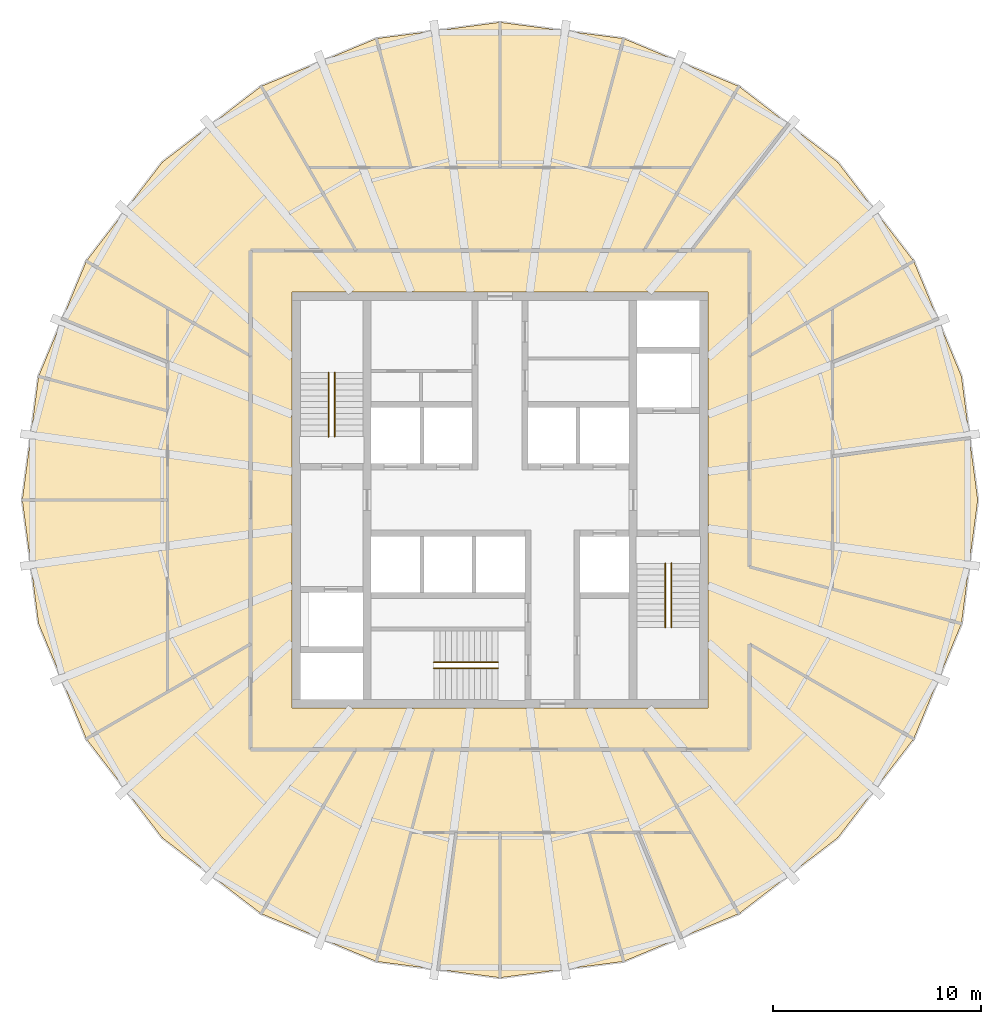
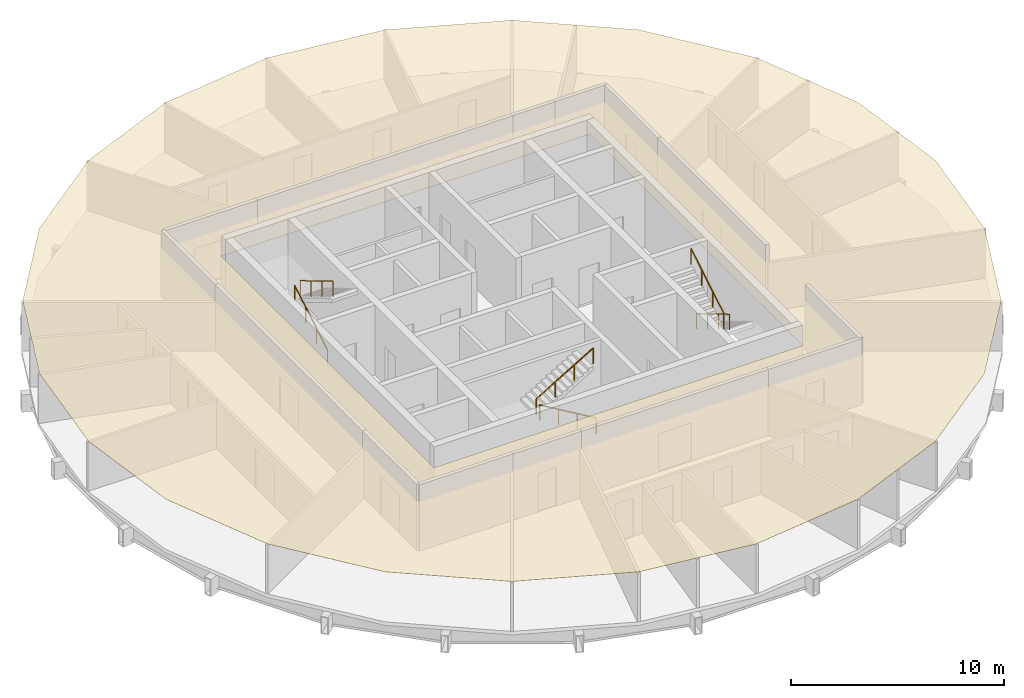
# One storey, part 6 of 6: 6 railings, 1 covering.
"""IFC4 building model written with IfcOpenShell, lengths in metres."""

from ifc_helpers import new_model, si_unit, direction, frame, origin, origin_2d, place, context, subcontext, project, spatial, polyline, circle, outline, extrude, material, layer, layer_set, type_object, element, save


model = new_model("IFC4")

# Units and contexts
model_context = context("Model", 3, precision=1e-05, world=origin(), true_north=direction((0.0, 1.0)))
body_context = subcontext(model_context, "Body", "Model", "MODEL_VIEW")
ifc_project = project(units=[si_unit("LENGTHUNIT", "METRE"), si_unit("AREAUNIT", "SQUARE_METRE"), si_unit("VOLUMEUNIT", "CUBIC_METRE"), si_unit("PLANEANGLEUNIT", "RADIAN"), si_unit("MASSUNIT", "GRAM", prefix="KILO")], contexts=[model_context])

# Site, building, storey
site_placement = place(None, origin())
site = spatial("IfcSite", under=ifc_project, at=site_placement, CompositionType="ELEMENT")
building_placement = place(site_placement, origin())
building = spatial("IfcBuilding", under=site, at=building_placement, Name="Golbaran Civic Tower", CompositionType="ELEMENT")
storey_placement = place(building_placement, frame((0.0, 0.0, 224.0)))
storey = spatial("IfcBuildingStorey", under=building, at=storey_placement, Name="L54", CompositionType="ELEMENT", Elevation=224.0)

# Railings
ifc_material_1 = material(Name="Stainless steel", Category="steel")
railing_type = type_object("IfcRailingType", Name="STAIR HANDRAIL 900", PredefinedType="HANDRAIL", material=ifc_material_1)
railing_1_placement = place(storey_placement, frame((-8.25, 3.050048828125, 0.166748046875)))
element("IfcRailing", 1, at=railing_1_placement, inside=storey, type_object=railing_type, Name="Stair S1 handrail flight 1 L54", PredefinedType="HANDRAIL", context=body_context, shape_type="SweptSolid", body=[
    extrude(circle(Radius=0.02392578125, at=origin_2d()), frame((0.0, 0.0, 0.8759765625), z_axis=(0.0, 0.859290745958, 0.51148745235), x_axis=(-1.0, 0.0, 0.0)), (0.0, 0.0, 1.0), 3.584228515625),
    extrude(circle(Radius=0.02099609375, at=origin_2d()), origin(), (0.0, 0.0, 1.0), 0.851806640625),
    extrude(circle(Radius=0.02099609375, at=origin_2d()), frame((0.0, 1.026611328125, 0.611083984375)), (0.0, 0.0, 1.0), 0.851806640625),
    extrude(circle(Radius=0.02099609375, at=origin_2d()), frame((0.0, 2.05322265625, 1.22216796875)), (0.0, 0.0, 1.0), 0.851806640625),
    extrude(circle(Radius=0.02099609375, at=origin_2d()), frame((0.0, 3.079833984375, 1.833251953125)), (0.0, 0.0, 1.0), 0.851806640625),
])
for number, where, name in (
    (2, (-7.949951171875, 6.1298828125, 2.166748046875), "Stair S1 handrail flight 2 L54"),
    (3, (8.25, -3.050048828125, 0.166748046875), "Stair S2 handrail flight 1 L54"),
):
    element("IfcRailing", number, at=place(storey_placement, frame(where)), inside=storey, type_object=railing_type, Name=name, PredefinedType="HANDRAIL", context=body_context, shape_type="SweptSolid", body=[
        extrude(circle(Radius=0.02392578125, at=origin_2d()), frame((0.0, 0.0, 0.8759765625), z_axis=(0.0, -0.859290745958, 0.51148745235), x_axis=(1.0, 0.0, 0.0)), (0.0, 0.0, 1.0), 3.584228515625),
        extrude(circle(Radius=0.02099609375, at=origin_2d()), origin(), (0.0, 0.0, 1.0), 0.851806640625),
        extrude(circle(Radius=0.02099609375, at=origin_2d()), frame((0.0, -1.026611328125, 0.611083984375)), (0.0, 0.0, 1.0), 0.851806640625),
        extrude(circle(Radius=0.02099609375, at=origin_2d()), frame((0.0, -2.05322265625, 1.22216796875)), (0.0, 0.0, 1.0), 0.851806640625),
        extrude(circle(Radius=0.02099609375, at=origin_2d()), frame((0.0, -3.079833984375, 1.833251953125)), (0.0, 0.0, 1.0), 0.851806640625),
    ])
railing_2_placement = place(storey_placement, frame((7.949951171875, -6.1298828125, 2.166748046875)))
element("IfcRailing", 4, at=railing_2_placement, inside=storey, type_object=railing_type, Name="Stair S2 handrail flight 2 L54", PredefinedType="HANDRAIL", context=body_context, shape_type="SweptSolid", body=[
    extrude(circle(Radius=0.02392578125, at=origin_2d()), frame((0.0, 0.0, 0.8759765625), z_axis=(0.0, 0.859290745958, 0.51148745235), x_axis=(-1.0, 0.0, 0.0)), (0.0, 0.0, 1.0), 3.584228515625),
    extrude(circle(Radius=0.02099609375, at=origin_2d()), origin(), (0.0, 0.0, 1.0), 0.851806640625),
    extrude(circle(Radius=0.02099609375, at=origin_2d()), frame((0.0, 1.026611328125, 0.611083984375)), (0.0, 0.0, 1.0), 0.851806640625),
    extrude(circle(Radius=0.02099609375, at=origin_2d()), frame((0.0, 2.05322265625, 1.22216796875)), (0.0, 0.0, 1.0), 0.851806640625),
    extrude(circle(Radius=0.02099609375, at=origin_2d()), frame((0.0, 3.079833984375, 1.833251953125)), (0.0, 0.0, 1.0), 0.851806640625),
])
railing_3_placement = place(storey_placement, frame((-0.10009765625, -8.10009765625, 0.166748046875)))
element("IfcRailing", 5, at=railing_3_placement, inside=storey, type_object=railing_type, Name="Stair S3 handrail flight 1 L54", PredefinedType="HANDRAIL", context=body_context, shape_type="SweptSolid", body=[
    extrude(circle(Radius=0.02392578125, at=origin_2d()), frame((0.0, 0.0, 0.8759765625), z_axis=(-0.859290745958, 0.0, 0.51148745235), x_axis=(0.0, -1.0, 0.0)), (0.0, 0.0, 1.0), 3.584228515625),
    extrude(circle(Radius=0.02099609375, at=origin_2d()), origin(), (0.0, 0.0, 1.0), 0.851806640625),
    extrude(circle(Radius=0.02099609375, at=origin_2d()), frame((-1.026611328125, 0.0, 0.611083984375)), (0.0, 0.0, 1.0), 0.851806640625),
    extrude(circle(Radius=0.02099609375, at=origin_2d()), frame((-2.05322265625, 0.0, 1.22216796875)), (0.0, 0.0, 1.0), 0.851806640625),
    extrude(circle(Radius=0.02099609375, at=origin_2d()), frame((-3.079833984375, 0.0, 1.833251953125)), (0.0, 0.0, 1.0), 0.851806640625),
])
railing_4_placement = place(storey_placement, frame((-3.179931640625, -7.800048828125, 2.166748046875)))
element("IfcRailing", 6, at=railing_4_placement, inside=storey, type_object=railing_type, Name="Stair S3 handrail flight 2 L54", PredefinedType="HANDRAIL", context=body_context, shape_type="SweptSolid", body=[
    extrude(circle(Radius=0.02392578125, at=origin_2d()), frame((0.0, 0.0, 0.8759765625), z_axis=(0.859290745958, 0.0, 0.51148745235), x_axis=(0.0, 1.0, 0.0)), (0.0, 0.0, 1.0), 3.584228515625),
    extrude(circle(Radius=0.02099609375, at=origin_2d()), origin(), (0.0, 0.0, 1.0), 0.851806640625),
    extrude(circle(Radius=0.02099609375, at=origin_2d()), frame((1.026611328125, 0.0, 0.611083984375)), (0.0, 0.0, 1.0), 0.851806640625),
    extrude(circle(Radius=0.02099609375, at=origin_2d()), frame((2.05322265625, 0.0, 1.22216796875)), (0.0, 0.0, 1.0), 0.851806640625),
    extrude(circle(Radius=0.02099609375, at=origin_2d()), frame((3.079833984375, 0.0, 1.833251953125)), (0.0, 0.0, 1.0), 0.851806640625),
])

# Covering
ifc_material_2 = material(Name="Mineral fibre tile on steel grid", Category="steel")
ifc_layer = layer(ifc_material_2, 0.02001953125, Name="Mineral fibre tile on steel grid")
ifc_layer_set = layer_set([ifc_layer], Name="Mineral fibre tile on steel grid")
covering_type = type_object("IfcCoveringType", Name="SUSPENDED CEILING 600 TILE 20", PredefinedType="CEILING", material=ifc_layer_set)
covering_placement = place(storey_placement, frame((0.0, 0.0, 2.800048828125)))
element("IfcCovering", 7, at=covering_placement, inside=storey, type_object=covering_type, Name="Suspended ceiling L54", PredefinedType="CEILING", context=body_context, shape_type="SweptSolid", body=[
    extrude(outline(polyline([(-19.90478515625, 11.491943359375), (-16.252197265625, 16.252197265625), (-11.491943359375, 19.90478515625), (-5.94873046875, 22.200927734375), (0.0, 22.98388671875), (5.94873046875, 22.200927734375), (11.491943359375, 19.90478515625), (16.252197265625, 16.252197265625), (19.90478515625, 11.491943359375), (22.200927734375, 5.94873046875), (22.57275390625, 3.123046875), (22.98388671875, 0.0), (22.200927734375, -5.94873046875), (19.90478515625, -11.491943359375), (16.252197265625, -16.252197265625), (11.491943359375, -19.90478515625), (5.94873046875, -22.200927734375), (0.0, -22.98388671875), (-5.94873046875, -22.200927734375), (-11.491943359375, -19.90478515625), (-16.252197265625, -16.252197265625), (-19.90478515625, -11.491943359375), (-22.200927734375, -5.94873046875), (-22.98388671875, 0.0), (-22.200927734375, 5.94873046875), (-19.90478515625, 11.491943359375)]), holes=[polyline([(-10.0, -10.0), (10.0, -10.0), (10.0, 10.0), (-10.0, 10.0), (-10.0, -10.0)])]), origin(), (0.0, 0.0, 1.0), 0.02001953125),
])

save(model, "model.ifc")
